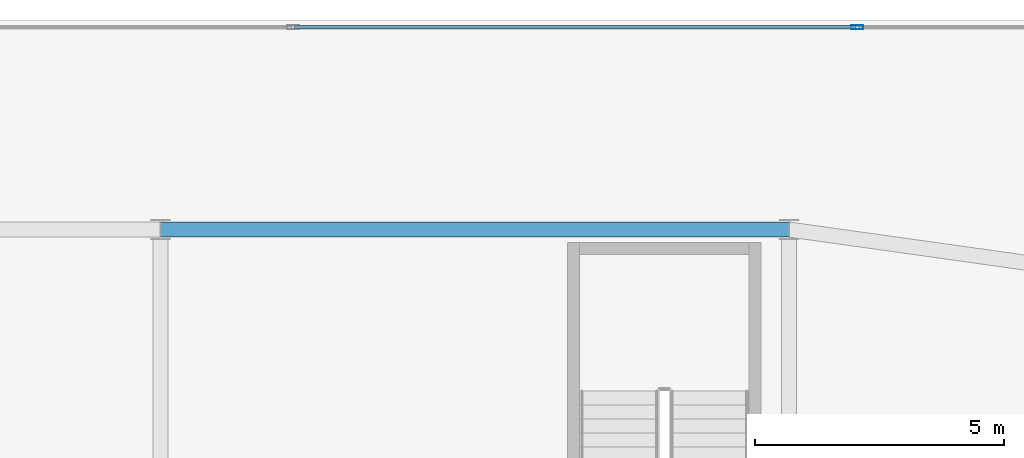
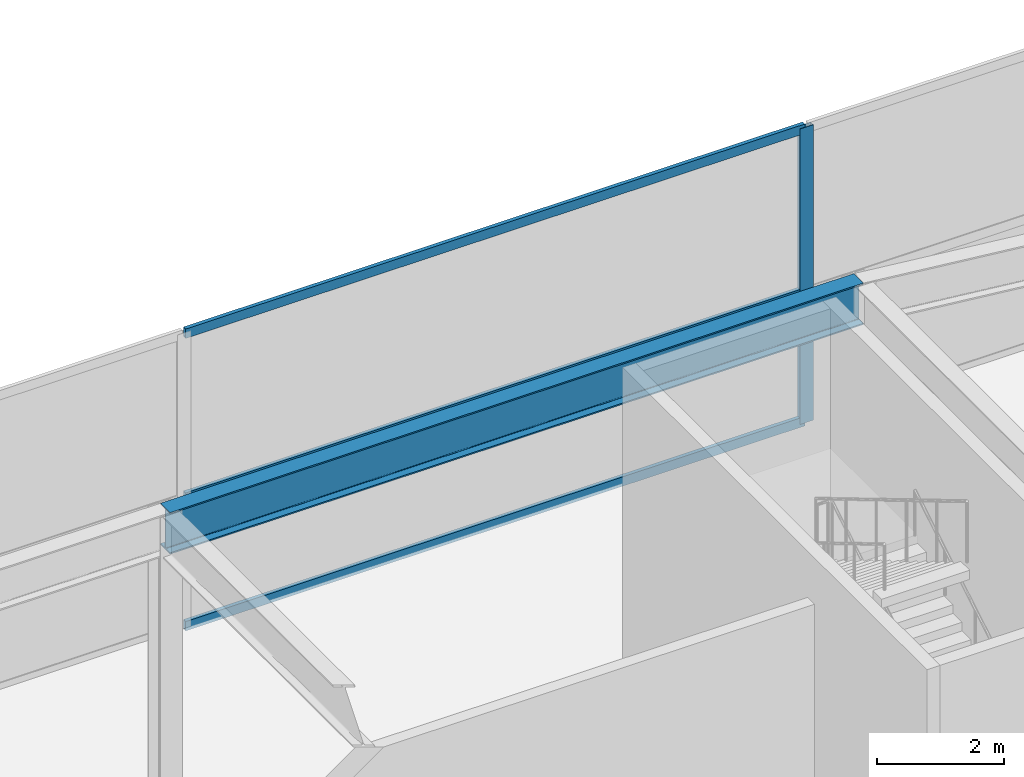
# One storey, part 20 of 35: 4 members, 1 beam, 1 element without a shape of its own.
"""IFC4 building model written with IfcOpenShell, lengths in metres."""

import ifcopenshell
import ifcopenshell.guid

model = None  # the IFC model being written
_history = None  # IfcOwnerHistory: only IFC2X3 demands one
_inside = {}  # id of a spatial element -> (the spatial element, [elements in it])
_under = {}  # id of a project, library or spatial element -> (it, [spatial elements below it])
_declared = {}  # id of a project -> (the project, [libraries it declares])
_typed = {}  # id of a type object -> (the type object, [elements of that type])
_made_of = {}  # id of a material, layer set ... -> (it, [elements and type objects made of it])


def new_model(schema):
    """Start an empty IFC model of exactly this schema.

    Asked for "IFC4X3", IfcOpenShell would pick the latest addendum, in which some entities
    have other attributes; the version numbers below select the first issue.
    IFC2X3 requires an IfcOwnerHistory on every rooted entity: one is made here for all.
    """
    global model, _history
    if schema == "IFC4X3":
        model = ifcopenshell.file(schema_version=(4, 3, 0, 0))
    else:
        model = ifcopenshell.file(schema=schema)
    _inside.clear()
    _under.clear()
    _declared.clear()
    _typed.clear()
    _made_of.clear()
    _history = None
    if model.schema == "IFC2X3":
        org = make("IfcOrganization", Name="unknown")
        user = make(
            "IfcPersonAndOrganization",
            ThePerson=make("IfcPerson", FamilyName="unknown"),
            TheOrganization=org,
        )
        app = make(
            "IfcApplication",
            ApplicationDeveloper=org,
            Version="unknown",
            ApplicationFullName="unknown",
            ApplicationIdentifier="unknown",
        )
        _history = make(
            "IfcOwnerHistory",
            OwningUser=user,
            OwningApplication=app,
            ChangeAction="ADDED",
            CreationDate=0,
        )
    return model


def make(cls, **values):
    """One entity of the class cls with the attributes given. An attribute that is None is left unset."""
    return model.create_entity(
        cls, **{name: value for name, value in values.items() if value is not None}
    )


def rooted(cls, **values):
    """An entity with a GlobalId (a new one), such as an element, a storey or a relation."""
    return make(cls, GlobalId=ifcopenshell.guid.new(), OwnerHistory=_history, **values)


def si_unit(unit_type, name, prefix=None):
    """IfcSIUnit, for example si_unit("LENGTHUNIT", "METRE", prefix="MILLI")."""
    return make("IfcSIUnit", UnitType=unit_type, Prefix=prefix, Name=name)


def assignment(units):
    """IfcUnitAssignment: the units of a project."""
    return None if units is None else make("IfcUnitAssignment", Units=units)


def point(xyz):
    """IfcCartesianPoint."""
    return None if xyz is None else make("IfcCartesianPoint", Coordinates=xyz)


def direction(xyz):
    """IfcDirection."""
    return None if xyz is None else make("IfcDirection", DirectionRatios=xyz)


def frame(location, z_axis=None, x_axis=None):
    """IfcAxis2Placement3D, a coordinate frame: its origin and axes. An axis left out is left unset."""
    return make(
        "IfcAxis2Placement3D",
        Location=point(location),
        Axis=direction(z_axis),
        RefDirection=direction(x_axis),
    )


def frame_2d(location, x_axis=None):
    """IfcAxis2Placement2D, a coordinate frame in the plane: its origin and x axis."""
    return make(
        "IfcAxis2Placement2D", Location=point(location), RefDirection=direction(x_axis)
    )


def origin():
    """The frame at (0, 0, 0) with its axes left unset."""
    return frame((0.0, 0.0, 0.0))


def origin_2d():
    """The frame at (0, 0) in the plane with its x axis left unset."""
    return frame_2d((0.0, 0.0))


def place(relative_to, where):
    """IfcLocalPlacement: puts the frame where relative to a parent placement (None: the world)."""
    return make(
        "IfcLocalPlacement", PlacementRelTo=relative_to, RelativePlacement=where
    )


def context(
    kind, dimensions, precision=None, world=None, true_north=None, identifier=None
):
    """IfcGeometricRepresentationContext, for example the 3D "Model" context."""
    return make(
        "IfcGeometricRepresentationContext",
        ContextIdentifier=identifier,
        ContextType=kind,
        CoordinateSpaceDimension=dimensions,
        Precision=precision,
        WorldCoordinateSystem=world,
        TrueNorth=true_north,
    )


def subcontext(parent, identifier, kind, view, scale=None):
    """IfcGeometricRepresentationSubContext, for example "Body" below "Model"."""
    return make(
        "IfcGeometricRepresentationSubContext",
        ContextIdentifier=identifier,
        ContextType=kind,
        ParentContext=parent,
        TargetScale=scale,
        TargetView=view,
    )


def project(units=None, contexts=None):
    """IfcProject with its units and contexts."""
    return rooted(
        "IfcProject",
        Name="project",
        RepresentationContexts=contexts,
        UnitsInContext=assignment(units),
    )


def spatial(cls, under=None, at=None, **own):
    """A site, building, storey or space (cls), placed at a placement, below another one or the project."""
    s = rooted(cls, ObjectPlacement=at, **own)
    if under is not None:
        _under.setdefault(under.id(), (under, []))[1].append(s)
    return s


def profile(cls, at=None, kind="AREA", **sizes):
    """A parametric profile (cls). Its sizes go by their IFC names, for example OverallWidth=200.0."""
    return make(cls, ProfileType=kind, Position=at, **sizes)


def hollow_rectangle(**sizes):
    """IfcRectangleHollowProfileDef."""
    return profile("IfcRectangleHollowProfileDef", **sizes)


def i_section(**sizes):
    """IfcIShapeProfileDef."""
    return profile("IfcIShapeProfileDef", **sizes)


def extrude(swept, where, along, depth):
    """IfcExtrudedAreaSolid: the profile swept, set in the frame where, extruded along a direction by depth."""
    return make(
        "IfcExtrudedAreaSolid",
        SweptArea=swept,
        Position=where,
        ExtrudedDirection=direction(along),
        Depth=depth,
    )


def shape(context_of_items, identifier, shape_type, items):
    """IfcShapeRepresentation: the items that make up one representation, for example the "Body"."""
    return make(
        "IfcShapeRepresentation",
        ContextOfItems=context_of_items,
        RepresentationIdentifier=identifier,
        RepresentationType=shape_type,
        Items=items,
    )


def material(Name=None, Category=None):
    """IfcMaterial."""
    return make("IfcMaterial", Name=Name, Category=Category)


def layer(
    of_material, thickness, ventilated=None, Name=None, Category=None, Priority=None
):
    """IfcMaterialLayer: one layer of a wall or slab, of a material (None: an air gap)."""
    return make(
        "IfcMaterialLayer",
        Material=of_material,
        LayerThickness=thickness,
        IsVentilated=ventilated,
        Name=Name,
        Category=Category,
        Priority=Priority,
    )


def layer_set(layers, Name=None):
    """IfcMaterialLayerSet."""
    return make("IfcMaterialLayerSet", MaterialLayers=layers, LayerSetName=Name)


def material_profile(
    of_material, cross_section, Name=None, Category=None, Priority=None
):
    """IfcMaterialProfile: a cross section and its material."""
    return make(
        "IfcMaterialProfile",
        Name=Name,
        Material=of_material,
        Profile=cross_section,
        Priority=Priority,
        Category=Category,
    )


def profile_set(profiles, Name=None, composite=None):
    """IfcMaterialProfileSet."""
    return make(
        "IfcMaterialProfileSet",
        Name=Name,
        MaterialProfiles=profiles,
        CompositeProfile=composite,
    )


def made_of(thing, what):
    """Note that an element or type object is made of a material, layer set ...; save() writes the relation."""
    if what is not None:
        _made_of.setdefault(what.id(), (what, []))[1].append(thing)
    return thing


def type_object(cls, material=None, **own):
    """A type object (cls), such as IfcWallType, which elements share."""
    return made_of(rooted(cls, **own), material)


def element(
    cls,
    number,
    at=None,
    inside=None,
    cuts=None,
    type_object=None,
    material=None,
    context=None,
    identifier="Body",
    shape_type=None,
    held_by="IfcProductDefinitionShape",
    body=None,
    shapes=None,
    **own,
):
    """One element of the class cls, such as IfcWall. Its Tag is "e" and its number.

    at: its placement. inside: the storey or other place that contains it. cuts: it is an
    opening in that element (IfcRelVoidsElement). A single representation is given by context,
    identifier, shape_type and body (its items); several are given by shapes. held_by: the class
    of the entity that holds the representations. save() writes the other relations.
    """
    e = rooted(cls, Tag="e%d" % number, ObjectPlacement=at, **own)
    if body is not None:
        shapes = [shape(context, identifier, shape_type, body)]
    if shapes is not None:
        e.Representation = make(held_by, Representations=shapes)
    if inside is not None:
        _inside.setdefault(inside.id(), (inside, []))[1].append(e)
    if cuts is not None:
        rooted(
            "IfcRelVoidsElement", RelatingBuildingElement=cuts, RelatedOpeningElement=e
        )
    if type_object is not None:
        _typed.setdefault(type_object.id(), (type_object, []))[1].append(e)
    return made_of(e, material)


def aggregate(whole, parts):
    """IfcRelAggregates: a whole, such as a stair, and the parts it consists of."""
    return rooted("IfcRelAggregates", RelatingObject=whole, RelatedObjects=parts)


def save(model, path):
    """Write the relations noted so far, then the file.

    IfcRelAggregates (storeys below a building ...), IfcRelContainedInSpatialStructure (elements
    in a storey), IfcRelDefinesByType, IfcRelAssociatesMaterial and IfcRelDeclares: one each for
    every whole, place, type object, material and project.
    """
    for whole, parts in _under.values():
        aggregate(whole, parts)
    for where, things in _inside.values():
        rooted(
            "IfcRelContainedInSpatialStructure",
            RelatedElements=things,
            RelatingStructure=where,
        )
    for kind, things in _typed.values():
        rooted("IfcRelDefinesByType", RelatedObjects=things, RelatingType=kind)
    for what, things in _made_of.values():
        rooted("IfcRelAssociatesMaterial", RelatedObjects=things, RelatingMaterial=what)
    for by, libraries in _declared.values():
        rooted("IfcRelDeclares", RelatingContext=by, RelatedDefinitions=libraries)
    model.write(path)


model = new_model("IFC4")

# Units and contexts
model_context = context("Model", 3, precision=1e-05, world=origin(), true_north=direction((0.0, 1.0)))
body_context = subcontext(model_context, "Body", "Model", "MODEL_VIEW")
ifc_project = project(units=[si_unit("LENGTHUNIT", "METRE"), si_unit("AREAUNIT", "SQUARE_METRE"), si_unit("VOLUMEUNIT", "CUBIC_METRE"), si_unit("PLANEANGLEUNIT", "RADIAN"), si_unit("MASSUNIT", "GRAM", prefix="KILO")], contexts=[model_context])

# Site, building, storey
site_placement = place(None, origin())
site = spatial("IfcSite", under=ifc_project, at=site_placement, CompositionType="ELEMENT")
building_placement = place(site_placement, origin())
building = spatial("IfcBuilding", under=site, at=building_placement, Name="Calvorn Quay Hotel", CompositionType="ELEMENT")
storey_placement = place(building_placement, frame((0.0, 0.0, 6.0)))
storey = spatial("IfcBuildingStorey", under=building, at=storey_placement, Name="L01", CompositionType="ELEMENT", Elevation=6.0)

# Beam
ifc_material_1 = material(Name="Steel Q390GJC", Category="steel")
ifc_material_profile_1 = material_profile(ifc_material_1, i_section(OverallWidth=0.300048828125, OverallDepth=0.800048828125, WebThickness=0.013916015625, FlangeThickness=0.02587890625, FilletRadius=0.02392578125, at=origin_2d()), Name="HN800x300x14x26")
ifc_profile_set_1 = profile_set([ifc_material_profile_1], Name="Steel Q390GJC")
beam_type = type_object("IfcBeamType", Name="BM-GIRD-POD", PredefinedType="BEAM", material=ifc_profile_set_1)
beam_placement = place(storey_placement, frame((45.0, 53.800048828125, 5.280029296875), z_axis=(1.0, 0.0, 0.0), x_axis=(0.0, 1.0, 0.0)))
element("IfcBeam", 1, at=beam_placement, inside=storey, type_object=beam_type, Name="Beam BG-L01-PN6", PredefinedType="BEAM", context=body_context, shape_type="SweptSolid", body=[
    extrude(i_section(OverallWidth=0.300048828125, OverallDepth=0.800048828125, WebThickness=0.013916015625, FlangeThickness=0.02587890625, FilletRadius=0.02392578125, at=origin_2d()), origin(), (0.0, 0.0, 1.0), 12.60009765625),
])

# Curtain wall, members
ifc_material_2 = material(Name="Pale Anodised Aluminium and Low-E Glass", Category="aluminium")
ifc_layer = layer(ifc_material_2, 0.219970703125)
ifc_layer_set = layer_set([ifc_layer], Name="CW-SYS-POD")
curtain_wall_type = type_object("IfcCurtainWallType", Name="CW-SYS-POD", PredefinedType="NOTDEFINED", material=ifc_layer_set)
curtain_wall_placement = place(storey_placement, origin())
curtain_wall = element("IfcCurtainWall", 2, at=curtain_wall_placement, inside=storey, type_object=curtain_wall_type, Name="Podium Curtain Wall L01-N1", PredefinedType="NOTDEFINED")
ifc_material_3 = material(Name="Pale Anodised Aluminium 6063-T6", Category="aluminium")
ifc_material_profile_2 = material_profile(ifc_material_3, hollow_rectangle(XDim=0.080078125, YDim=0.239990234375, WallThickness=0.0048828125, at=origin_2d()), Name="ALU-M240x80x5")
ifc_profile_set_2 = profile_set([ifc_material_profile_2], Name="Pale Anodised Aluminium 6063-T6")
member_type_1 = type_object("IfcMemberType", Name="CW-SYS-POD-MUL", PredefinedType="MULLION", material=ifc_profile_set_2)
member_1_placement = place(storey_placement, frame((58.971435546875, 57.85009765625, 0.0), z_axis=(0.0, 0.0, 1.0), x_axis=(0.0, 1.0, 0.0)))
member_1 = element("IfcMember", 3, at=member_1_placement, type_object=member_type_1, Name="CW-L01-N1 mullion 6", PredefinedType="MULLION", context=body_context, shape_type="SweptSolid", body=[
    extrude(hollow_rectangle(XDim=0.080078125, YDim=0.239990234375, WallThickness=0.0048828125, at=origin_2d()), origin(), (0.0, 0.0, 1.0), 5.679931640625),
])
ifc_material_4 = material(Name="Pale Anodised Aluminium 6063-T6", Category="aluminium")
ifc_material_profile_3 = material_profile(ifc_material_4, hollow_rectangle(XDim=0.070068359375, YDim=0.179931640625, WallThickness=0.00390625, at=origin_2d()), Name="ALU-T180x70x4")
ifc_profile_set_3 = profile_set([ifc_material_profile_3], Name="Pale Anodised Aluminium 6063-T6")
member_type_2 = type_object("IfcMemberType", Name="CW-SYS-POD-TRN", PredefinedType="USERDEFINED", material=ifc_profile_set_3)
member_2_placement = place(storey_placement, frame((47.687255859375, 57.85009765625, 0.030029296875), z_axis=(1.0, 0.0, 0.0), x_axis=(0.0, 1.0, 0.0)))
member_2 = element("IfcMember", 4, at=member_2_placement, type_object=member_type_2, Name="CW-L01-N1 transom 5.1", ObjectType="TRANSOM", PredefinedType="USERDEFINED", context=body_context, shape_type="SweptSolid", body=[
    extrude(hollow_rectangle(XDim=0.070068359375, YDim=0.179931640625, WallThickness=0.00390625, at=origin_2d()), origin(), (0.0, 0.0, 1.0), 11.254150390625),
])
member_3_placement = place(storey_placement, frame((47.687255859375, 57.85009765625, 2.5), z_axis=(1.0, 0.0, 0.0), x_axis=(0.0, 1.0, 0.0)))
member_3 = element("IfcMember", 5, at=member_3_placement, type_object=member_type_2, Name="CW-L01-N1 transom 5.2", ObjectType="TRANSOM", PredefinedType="USERDEFINED", context=body_context, shape_type="SweptSolid", body=[
    extrude(hollow_rectangle(XDim=0.070068359375, YDim=0.179931640625, WallThickness=0.00390625, at=origin_2d()), origin(), (0.0, 0.0, 1.0), 11.254150390625),
])
member_4_placement = place(storey_placement, frame((47.687255859375, 57.85009765625, 5.64990234375), z_axis=(1.0, 0.0, 0.0), x_axis=(0.0, 1.0, 0.0)))
member_4 = element("IfcMember", 6, at=member_4_placement, type_object=member_type_2, Name="CW-L01-N1 transom 5.3", ObjectType="TRANSOM", PredefinedType="USERDEFINED", context=body_context, shape_type="SweptSolid", body=[
    extrude(hollow_rectangle(XDim=0.070068359375, YDim=0.179931640625, WallThickness=0.00390625, at=origin_2d()), origin(), (0.0, 0.0, 1.0), 11.254150390625),
])
aggregate(curtain_wall, [member_1, member_2, member_3, member_4])

save(model, "model.ifc")
